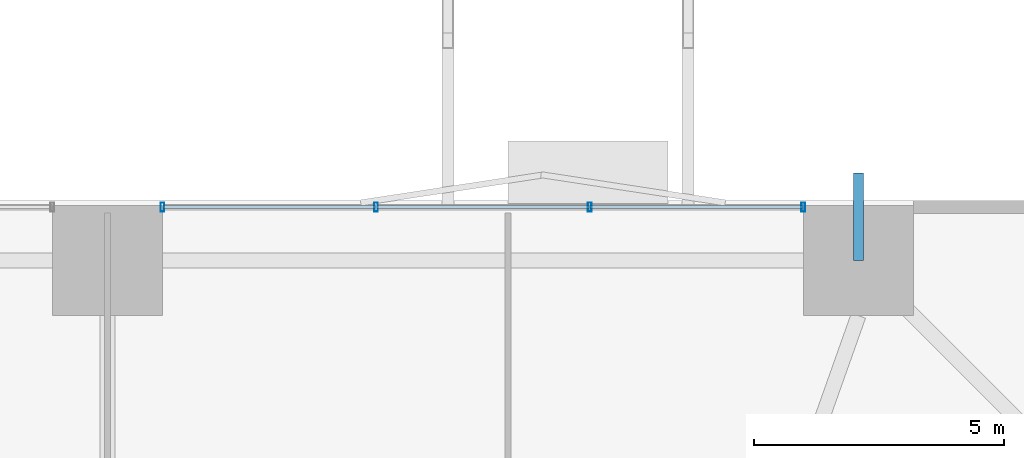
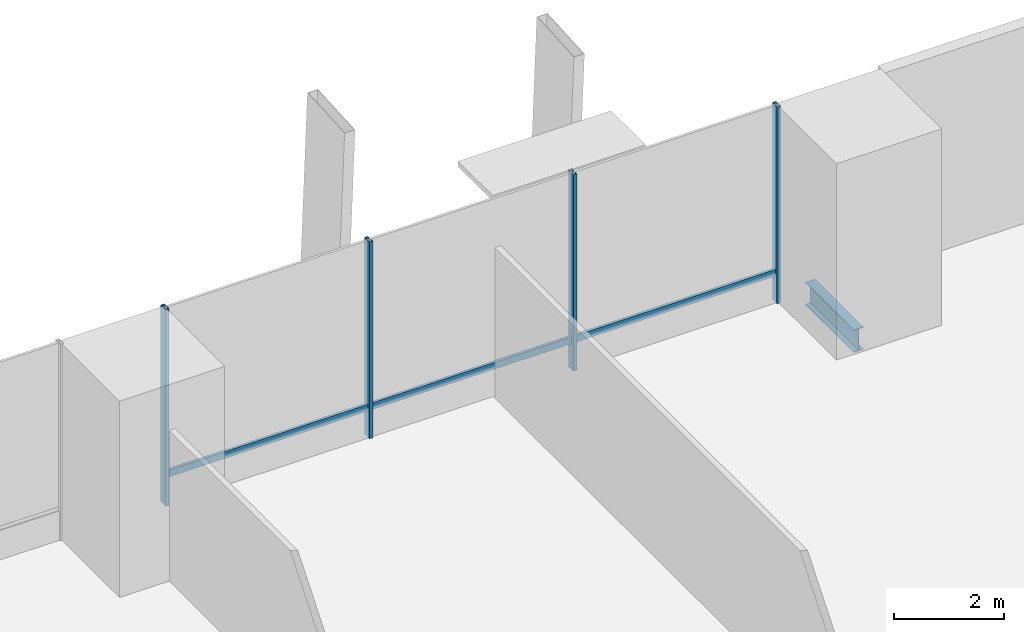
# One storey, part 17 of 24: 7 members, 1 beam, 1 element without a shape of its own.
"""IFC4 building model written with IfcOpenShell, lengths in metres."""

from ifc_helpers import new_model, si_unit, direction, frame, origin, origin_2d, place, context, subcontext, project, spatial, hollow_rectangle, i_section, extrude, material, layer, layer_set, material_profile, profile_set, type_object, element, aggregate, save


model = new_model("IFC4")

# Units and contexts
model_context = context("Model", 3, precision=1e-05, world=origin(), true_north=direction((0.0, 1.0)))
body_context = subcontext(model_context, "Body", "Model", "MODEL_VIEW")
ifc_project = project(units=[si_unit("LENGTHUNIT", "METRE"), si_unit("AREAUNIT", "SQUARE_METRE"), si_unit("VOLUMEUNIT", "CUBIC_METRE"), si_unit("PLANEANGLEUNIT", "RADIAN"), si_unit("MASSUNIT", "GRAM", prefix="KILO")], contexts=[model_context])

# Site, building, storey
site_placement = place(None, origin())
site = spatial("IfcSite", under=ifc_project, at=site_placement, CompositionType="ELEMENT")
building_placement = place(site_placement, origin())
building = spatial("IfcBuilding", under=site, at=building_placement, Name="Belovzor Exchange Tower", CompositionType="ELEMENT")
storey_placement = place(building_placement, frame((0.0, 0.0, 19.199951171875)))
storey = spatial("IfcBuildingStorey", under=building, at=storey_placement, Name="L04", CompositionType="ELEMENT", Elevation=19.199951171875)

# Beam
ifc_material_1 = material(Name="Steel S355", Category="steel")
ifc_material_profile_1 = material_profile(ifc_material_1, i_section(OverallWidth=0.199951171875, OverallDepth=0.5, WebThickness=0.01025390625, FlangeThickness=0.01611328125, at=origin_2d()))
ifc_profile_set_1 = profile_set([ifc_material_profile_1], Name="Steel S355")
beam_type = type_object("IfcBeamType", Name="Planted Balcony Cantilever Beam IPE 500", PredefinedType="BEAM", material=ifc_profile_set_1)
beam_placement = place(storey_placement, frame((43.800048828125, 55.800048828125, -0.599853515625), z_axis=(0.0, 1.0, 0.0), x_axis=(-1.0, 0.0, 0.0)))
element("IfcBeam", 1, at=beam_placement, inside=storey, type_object=beam_type, Name="BC-500 Planted Balcony Cantilever Beam IPE 500", PredefinedType="BEAM", context=body_context, shape_type="SweptSolid", body=[
    extrude(i_section(OverallWidth=0.199951171875, OverallDepth=0.5, WebThickness=0.01025390625, FlangeThickness=0.01611328125, at=origin_2d()), origin(), (0.0, 0.0, 1.0), 1.75),
])

# Curtain wall, members
ifc_material_2 = material(Name="Anodised Aluminium Framing", Category="aluminium")
ifc_layer = layer(ifc_material_2, 0.2099609375)
ifc_layer_set = layer_set([ifc_layer], Name="Anodised Aluminium Framing")
curtain_wall_type = type_object("IfcCurtainWallType", Name="Double-Height Concourse & Gallery Curtain Wall", PredefinedType="NOTDEFINED", material=ifc_layer_set)
curtain_wall_placement = place(storey_placement, origin())
curtain_wall = element("IfcCurtainWall", 2, at=curtain_wall_placement, inside=storey, type_object=curtain_wall_type, Name="CW2 Double-Height Concourse & Gallery Curtain Wall L04", PredefinedType="NOTDEFINED")
ifc_material_3 = material(Name="Steel S355", Category="steel")
ifc_material_profile_2 = material_profile(ifc_material_3, hollow_rectangle(XDim=0.074951171875, YDim=0.179931640625, WallThickness=0.0048828125, at=origin_2d()))
ifc_profile_set_2 = profile_set([ifc_material_profile_2], Name="Steel S355")
member_type_1 = type_object("IfcMemberType", Name="Thermally Broken Curtain Wall Mullion 180x75", PredefinedType="MULLION", material=ifc_profile_set_2)
member_1_placement = place(storey_placement, frame((29.89990234375, 56.8701171875, 0.0), z_axis=(0.0, 0.0, 1.0), x_axis=(1.0, 0.0, 0.0)))
member_1 = element("IfcMember", 3, at=member_1_placement, type_object=member_type_1, Name="CW-M180 Curtain Wall Mullion 1", PredefinedType="MULLION", context=body_context, shape_type="SweptSolid", body=[
    extrude(hollow_rectangle(XDim=0.074951171875, YDim=0.179931640625, WallThickness=0.0048828125, at=origin_2d()), origin(), (0.0, 0.0, 1.0), 4.35009765625),
])
member_2_placement = place(storey_placement, frame((34.1669921875, 56.8701171875, 0.0), z_axis=(0.0, 0.0, 1.0), x_axis=(1.0, 0.0, 0.0)))
member_2 = element("IfcMember", 4, at=member_2_placement, type_object=member_type_1, Name="CW-M180 Curtain Wall Mullion 2", PredefinedType="MULLION", context=body_context, shape_type="SweptSolid", body=[
    extrude(hollow_rectangle(XDim=0.074951171875, YDim=0.179931640625, WallThickness=0.0048828125, at=origin_2d()), origin(), (0.0, 0.0, 1.0), 4.35009765625),
])
member_3_placement = place(storey_placement, frame((38.43310546875, 56.8701171875, 0.0), z_axis=(0.0, 0.0, 1.0), x_axis=(1.0, 0.0, 0.0)))
member_3 = element("IfcMember", 5, at=member_3_placement, type_object=member_type_1, Name="CW-M180 Curtain Wall Mullion 3", PredefinedType="MULLION", context=body_context, shape_type="SweptSolid", body=[
    extrude(hollow_rectangle(XDim=0.074951171875, YDim=0.179931640625, WallThickness=0.0048828125, at=origin_2d()), origin(), (0.0, 0.0, 1.0), 4.35009765625),
])
member_4_placement = place(storey_placement, frame((42.699951171875, 56.8701171875, 0.0), z_axis=(0.0, 0.0, 1.0), x_axis=(1.0, 0.0, 0.0)))
member_4 = element("IfcMember", 6, at=member_4_placement, type_object=member_type_1, Name="CW-M180 Curtain Wall Mullion 4", PredefinedType="MULLION", context=body_context, shape_type="SweptSolid", body=[
    extrude(hollow_rectangle(XDim=0.074951171875, YDim=0.179931640625, WallThickness=0.0048828125, at=origin_2d()), origin(), (0.0, 0.0, 1.0), 4.35009765625),
])
ifc_material_4 = material(Name="Steel S355", Category="steel")
ifc_material_profile_3 = material_profile(ifc_material_4, hollow_rectangle(XDim=0.06005859375, YDim=0.14990234375, WallThickness=0.00390625, at=origin_2d()))
ifc_profile_set_3 = profile_set([ifc_material_profile_3], Name="Steel S355")
member_type_2 = type_object("IfcMemberType", Name="Thermally Broken Curtain Wall Transom 150x60", PredefinedType="USERDEFINED", material=ifc_profile_set_3)
member_5_placement = place(storey_placement, frame((29.907958984375, 56.8701171875, 0.650146484375), z_axis=(1.0, 0.0, 0.0), x_axis=(0.0, 1.0, 0.0)))
member_5 = element("IfcMember", 7, at=member_5_placement, type_object=member_type_2, Name="CW-T150 Curtain Wall Transom 1", ObjectType="TRANSOM", PredefinedType="USERDEFINED", context=body_context, shape_type="SweptSolid", body=[
    extrude(hollow_rectangle(XDim=0.06005859375, YDim=0.14990234375, WallThickness=0.00390625, at=origin_2d()), origin(), (0.0, 0.0, 1.0), 4.2509765625),
])
member_6_placement = place(storey_placement, frame((34.175048828125, 56.8701171875, 0.650146484375), z_axis=(1.0, 0.0, 0.0), x_axis=(0.0, 1.0, 0.0)))
member_6 = element("IfcMember", 8, at=member_6_placement, type_object=member_type_2, Name="CW-T150 Curtain Wall Transom 2", ObjectType="TRANSOM", PredefinedType="USERDEFINED", context=body_context, shape_type="SweptSolid", body=[
    extrude(hollow_rectangle(XDim=0.06005859375, YDim=0.14990234375, WallThickness=0.00390625, at=origin_2d()), origin(), (0.0, 0.0, 1.0), 4.25),
])
member_7_placement = place(storey_placement, frame((38.44091796875, 56.8701171875, 0.650146484375), z_axis=(1.0, 0.0, 0.0), x_axis=(0.0, 1.0, 0.0)))
member_7 = element("IfcMember", 9, at=member_7_placement, type_object=member_type_2, Name="CW-T150 Curtain Wall Transom 3", ObjectType="TRANSOM", PredefinedType="USERDEFINED", context=body_context, shape_type="SweptSolid", body=[
    extrude(hollow_rectangle(XDim=0.06005859375, YDim=0.14990234375, WallThickness=0.00390625, at=origin_2d()), origin(), (0.0, 0.0, 1.0), 4.2509765625),
])
aggregate(curtain_wall, [member_1, member_2, member_3, member_4, member_5, member_6, member_7])

save(model, "model.ifc")
